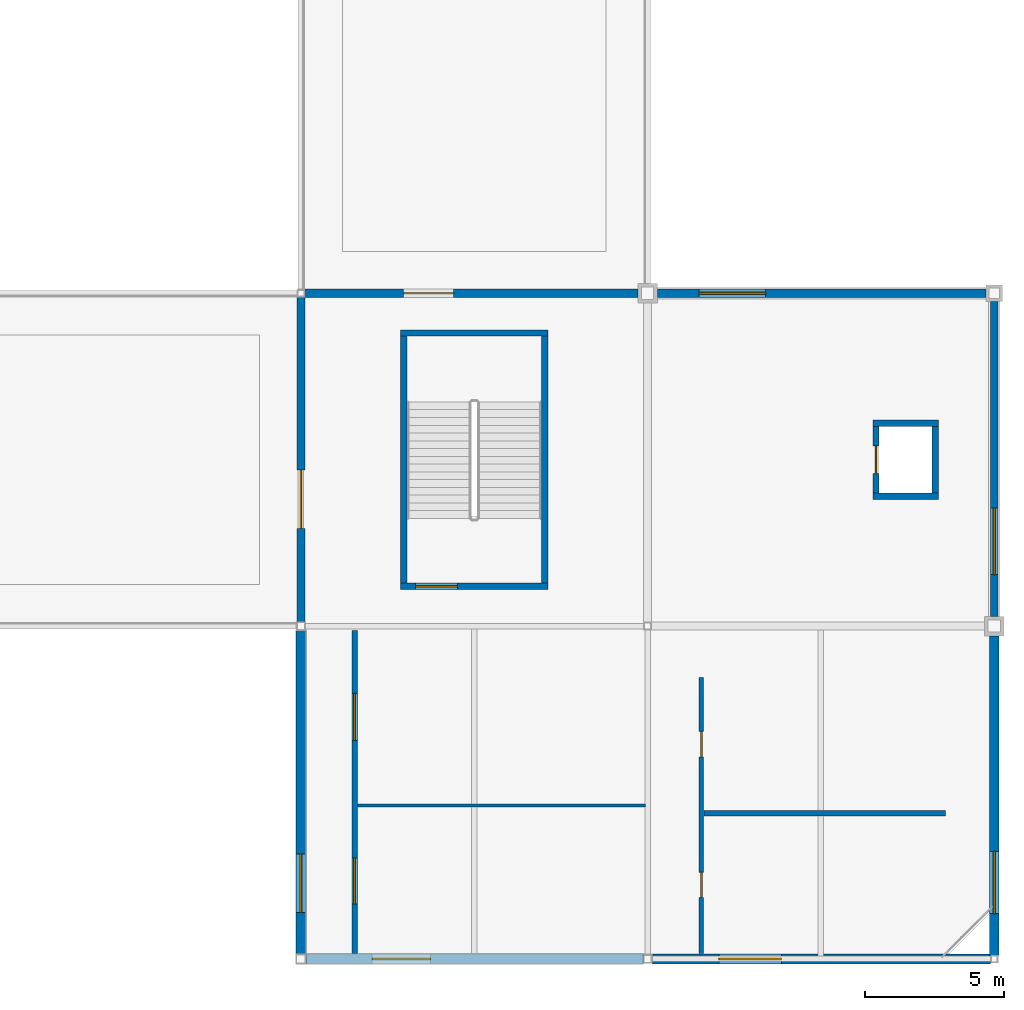
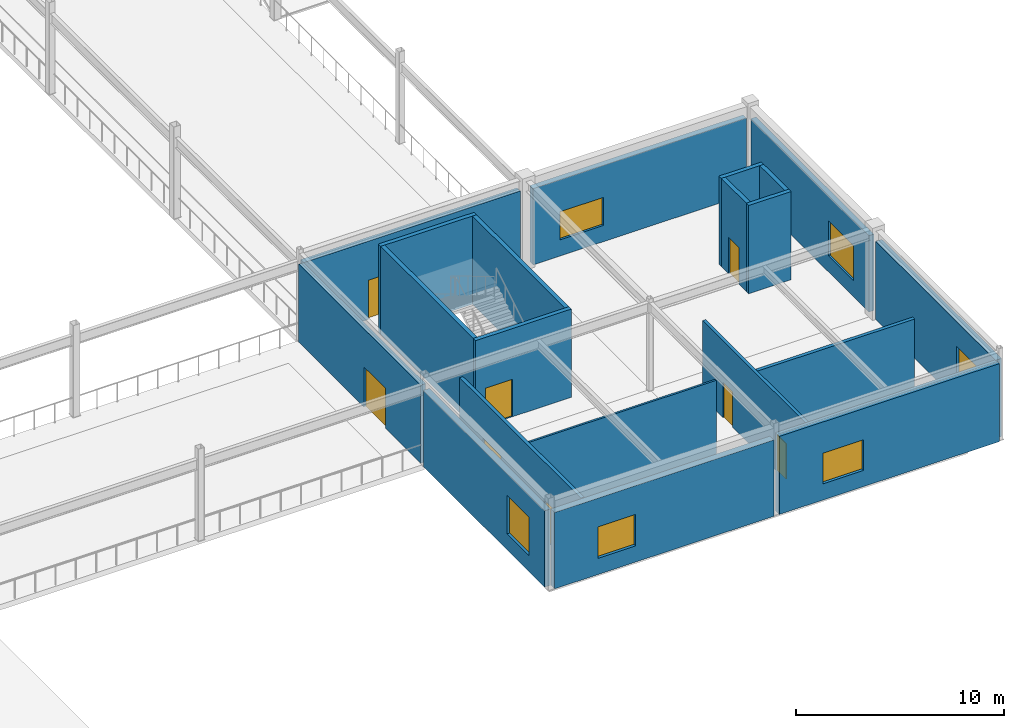
# One storey, part 78 of 105: 20 walls, 8 doors, 6 windows, 14 openings.
"""IFC4 building model written with IfcOpenShell, lengths in metres."""

import ifcopenshell
import ifcopenshell.guid

model = None  # the IFC model being written
_history = None  # IfcOwnerHistory: only IFC2X3 demands one
_inside = {}  # id of a spatial element -> (the spatial element, [elements in it])
_under = {}  # id of a project, library or spatial element -> (it, [spatial elements below it])
_declared = {}  # id of a project -> (the project, [libraries it declares])
_typed = {}  # id of a type object -> (the type object, [elements of that type])
_made_of = {}  # id of a material, layer set ... -> (it, [elements and type objects made of it])


def new_model(schema):
    """Start an empty IFC model of exactly this schema.

    Asked for "IFC4X3", IfcOpenShell would pick the latest addendum, in which some entities
    have other attributes; the version numbers below select the first issue.
    IFC2X3 requires an IfcOwnerHistory on every rooted entity: one is made here for all.
    """
    global model, _history
    if schema == "IFC4X3":
        model = ifcopenshell.file(schema_version=(4, 3, 0, 0))
    else:
        model = ifcopenshell.file(schema=schema)
    _inside.clear()
    _under.clear()
    _declared.clear()
    _typed.clear()
    _made_of.clear()
    _history = None
    if model.schema == "IFC2X3":
        org = make("IfcOrganization", Name="unknown")
        user = make(
            "IfcPersonAndOrganization",
            ThePerson=make("IfcPerson", FamilyName="unknown"),
            TheOrganization=org,
        )
        app = make(
            "IfcApplication",
            ApplicationDeveloper=org,
            Version="unknown",
            ApplicationFullName="unknown",
            ApplicationIdentifier="unknown",
        )
        _history = make(
            "IfcOwnerHistory",
            OwningUser=user,
            OwningApplication=app,
            ChangeAction="ADDED",
            CreationDate=0,
        )
    return model


def make(cls, **values):
    """One entity of the class cls with the attributes given. An attribute that is None is left unset."""
    return model.create_entity(
        cls, **{name: value for name, value in values.items() if value is not None}
    )


def rooted(cls, **values):
    """An entity with a GlobalId (a new one), such as an element, a storey or a relation."""
    return make(cls, GlobalId=ifcopenshell.guid.new(), OwnerHistory=_history, **values)


def si_unit(unit_type, name, prefix=None):
    """IfcSIUnit, for example si_unit("LENGTHUNIT", "METRE", prefix="MILLI")."""
    return make("IfcSIUnit", UnitType=unit_type, Prefix=prefix, Name=name)


def assignment(units):
    """IfcUnitAssignment: the units of a project."""
    return None if units is None else make("IfcUnitAssignment", Units=units)


def point(xyz):
    """IfcCartesianPoint."""
    return None if xyz is None else make("IfcCartesianPoint", Coordinates=xyz)


def direction(xyz):
    """IfcDirection."""
    return None if xyz is None else make("IfcDirection", DirectionRatios=xyz)


def frame(location, z_axis=None, x_axis=None):
    """IfcAxis2Placement3D, a coordinate frame: its origin and axes. An axis left out is left unset."""
    return make(
        "IfcAxis2Placement3D",
        Location=point(location),
        Axis=direction(z_axis),
        RefDirection=direction(x_axis),
    )


def frame_2d(location, x_axis=None):
    """IfcAxis2Placement2D, a coordinate frame in the plane: its origin and x axis."""
    return make(
        "IfcAxis2Placement2D", Location=point(location), RefDirection=direction(x_axis)
    )


def origin():
    """The frame at (0, 0, 0) with its axes left unset."""
    return frame((0.0, 0.0, 0.0))


def place(relative_to, where):
    """IfcLocalPlacement: puts the frame where relative to a parent placement (None: the world)."""
    return make(
        "IfcLocalPlacement", PlacementRelTo=relative_to, RelativePlacement=where
    )


def context(
    kind, dimensions, precision=None, world=None, true_north=None, identifier=None
):
    """IfcGeometricRepresentationContext, for example the 3D "Model" context."""
    return make(
        "IfcGeometricRepresentationContext",
        ContextIdentifier=identifier,
        ContextType=kind,
        CoordinateSpaceDimension=dimensions,
        Precision=precision,
        WorldCoordinateSystem=world,
        TrueNorth=true_north,
    )


def subcontext(parent, identifier, kind, view, scale=None):
    """IfcGeometricRepresentationSubContext, for example "Body" below "Model"."""
    return make(
        "IfcGeometricRepresentationSubContext",
        ContextIdentifier=identifier,
        ContextType=kind,
        ParentContext=parent,
        TargetScale=scale,
        TargetView=view,
    )


def project(units=None, contexts=None):
    """IfcProject with its units and contexts."""
    return rooted(
        "IfcProject",
        Name="project",
        RepresentationContexts=contexts,
        UnitsInContext=assignment(units),
    )


def spatial(cls, under=None, at=None, **own):
    """A site, building, storey or space (cls), placed at a placement, below another one or the project."""
    s = rooted(cls, ObjectPlacement=at, **own)
    if under is not None:
        _under.setdefault(under.id(), (under, []))[1].append(s)
    return s


def profile(cls, at=None, kind="AREA", **sizes):
    """A parametric profile (cls). Its sizes go by their IFC names, for example OverallWidth=200.0."""
    return make(cls, ProfileType=kind, Position=at, **sizes)


def rectangle(**sizes):
    """IfcRectangleProfileDef."""
    return profile("IfcRectangleProfileDef", **sizes)


def extrude(swept, where, along, depth):
    """IfcExtrudedAreaSolid: the profile swept, set in the frame where, extruded along a direction by depth."""
    return make(
        "IfcExtrudedAreaSolid",
        SweptArea=swept,
        Position=where,
        ExtrudedDirection=direction(along),
        Depth=depth,
    )


def shape(context_of_items, identifier, shape_type, items):
    """IfcShapeRepresentation: the items that make up one representation, for example the "Body"."""
    return make(
        "IfcShapeRepresentation",
        ContextOfItems=context_of_items,
        RepresentationIdentifier=identifier,
        RepresentationType=shape_type,
        Items=items,
    )


def material(Name=None, Category=None):
    """IfcMaterial."""
    return make("IfcMaterial", Name=Name, Category=Category)


def layer(
    of_material, thickness, ventilated=None, Name=None, Category=None, Priority=None
):
    """IfcMaterialLayer: one layer of a wall or slab, of a material (None: an air gap)."""
    return make(
        "IfcMaterialLayer",
        Material=of_material,
        LayerThickness=thickness,
        IsVentilated=ventilated,
        Name=Name,
        Category=Category,
        Priority=Priority,
    )


def layer_set(layers, Name=None):
    """IfcMaterialLayerSet."""
    return make("IfcMaterialLayerSet", MaterialLayers=layers, LayerSetName=Name)


def made_of(thing, what):
    """Note that an element or type object is made of a material, layer set ...; save() writes the relation."""
    if what is not None:
        _made_of.setdefault(what.id(), (what, []))[1].append(thing)
    return thing


def type_object(cls, material=None, **own):
    """A type object (cls), such as IfcWallType, which elements share."""
    return made_of(rooted(cls, **own), material)


def element(
    cls,
    number,
    at=None,
    inside=None,
    cuts=None,
    type_object=None,
    material=None,
    context=None,
    identifier="Body",
    shape_type=None,
    held_by="IfcProductDefinitionShape",
    body=None,
    shapes=None,
    **own,
):
    """One element of the class cls, such as IfcWall. Its Tag is "e" and its number.

    at: its placement. inside: the storey or other place that contains it. cuts: it is an
    opening in that element (IfcRelVoidsElement). A single representation is given by context,
    identifier, shape_type and body (its items); several are given by shapes. held_by: the class
    of the entity that holds the representations. save() writes the other relations.
    """
    e = rooted(cls, Tag="e%d" % number, ObjectPlacement=at, **own)
    if body is not None:
        shapes = [shape(context, identifier, shape_type, body)]
    if shapes is not None:
        e.Representation = make(held_by, Representations=shapes)
    if inside is not None:
        _inside.setdefault(inside.id(), (inside, []))[1].append(e)
    if cuts is not None:
        rooted(
            "IfcRelVoidsElement", RelatingBuildingElement=cuts, RelatedOpeningElement=e
        )
    if type_object is not None:
        _typed.setdefault(type_object.id(), (type_object, []))[1].append(e)
    return made_of(e, material)


def fill(opening, filler):
    """IfcRelFillsElement: the door or window that sits in an opening."""
    return rooted(
        "IfcRelFillsElement",
        RelatingOpeningElement=opening,
        RelatedBuildingElement=filler,
    )


def aggregate(whole, parts):
    """IfcRelAggregates: a whole, such as a stair, and the parts it consists of."""
    return rooted("IfcRelAggregates", RelatingObject=whole, RelatedObjects=parts)


def save(model, path):
    """Write the relations noted so far, then the file.

    IfcRelAggregates (storeys below a building ...), IfcRelContainedInSpatialStructure (elements
    in a storey), IfcRelDefinesByType, IfcRelAssociatesMaterial and IfcRelDeclares: one each for
    every whole, place, type object, material and project.
    """
    for whole, parts in _under.values():
        aggregate(whole, parts)
    for where, things in _inside.values():
        rooted(
            "IfcRelContainedInSpatialStructure",
            RelatedElements=things,
            RelatingStructure=where,
        )
    for kind, things in _typed.values():
        rooted("IfcRelDefinesByType", RelatedObjects=things, RelatingType=kind)
    for what, things in _made_of.values():
        rooted("IfcRelAssociatesMaterial", RelatedObjects=things, RelatingMaterial=what)
    for by, libraries in _declared.values():
        rooted("IfcRelDeclares", RelatingContext=by, RelatedDefinitions=libraries)
    model.write(path)


model = new_model("IFC4")

# Units and contexts
model_context = context("Model", 3, precision=1e-05, world=origin(), true_north=direction((0.0, 1.0)))
body_context = subcontext(model_context, "Body", "Model", "MODEL_VIEW")
ifc_project = project(units=[si_unit("LENGTHUNIT", "METRE"), si_unit("AREAUNIT", "SQUARE_METRE"), si_unit("VOLUMEUNIT", "CUBIC_METRE"), si_unit("PLANEANGLEUNIT", "RADIAN"), si_unit("MASSUNIT", "GRAM", prefix="KILO")], contexts=[model_context])

# Site, building, storey
site_placement = place(None, origin())
site = spatial("IfcSite", under=ifc_project, at=site_placement, CompositionType="ELEMENT")
building_placement = place(site_placement, origin())
building = spatial("IfcBuilding", under=site, at=building_placement, Name="Kazenohara Klinker Stadium", CompositionType="ELEMENT")
storey_placement = place(building_placement, frame((0.0, 0.0, 20.39990234375)))
storey = spatial("IfcBuildingStorey", under=building, at=storey_placement, Name="L04", CompositionType="ELEMENT", Elevation=20.39990234375)

# Wall, opening, door
ifc_material_1 = material(Name="Concrete C40/50", Category="concrete")
ifc_layer_1 = layer(ifc_material_1, 0.22998046875)
ifc_layer_set_1 = layer_set([ifc_layer_1], Name="Concrete C40/50")
wall_type_1 = type_object("IfcWallType", Name="WAL-CORE-230", PredefinedType="SHEAR", material=ifc_layer_set_1)
wall_1_placement = place(storey_placement, frame((178.590087890625, 25.43505859375, 0.0), z_axis=(0.0, 0.0, 1.0), x_axis=(1.0, 0.0, 0.0)))
wall_1 = element("IfcWall", 1, at=wall_1_placement, inside=storey, type_object=wall_type_1, Name="Stairwell shear wall ST16 L04 South", PredefinedType="SHEAR", context=body_context, shape_type="SweptSolid", body=[
    extrude(rectangle(XDim=5.31982421875, YDim=0.22998046875, at=frame_2d((2.659912109375, 0.0))), origin(), (0.0, 0.0, 1.0), 5.18017578125),
])
opening_1_placement = place(wall_1_placement, frame((0.550048828125, 0.0, 0.0)))
opening_1 = element("IfcOpeningElement", 2, at=opening_1_placement, cuts=wall_1, Name="Opening SD02", PredefinedType="OPENING", context=body_context, shape_type="SweptSolid", body=[
    extrude(rectangle(XDim=1.5, YDim=2.199951171875, at=frame_2d((0.75, 1.10009765625))), frame((0.0, 0.125, 0.0), z_axis=(0.0, -1.0, 0.0), x_axis=(1.0, 0.0, 0.0)), (0.0, 0.0, 1.0), 0.25),
])
ifc_material_2 = material(Name="Flush painted steel fire door leaf", Category="steel")
door_type_1 = type_object("IfcDoorType", Name="DR-STR-1500x2200", OperationType="NOTDEFINED", PredefinedType="DOOR", material=ifc_material_2)
door_1_placement = place(opening_1_placement, origin())
door_1 = element("IfcDoor", 3, at=door_1_placement, inside=storey, type_object=door_type_1, Name="Escape stairwell fire door ST16-L04", OperationType="SINGLE_SWING_LEFT", OverallHeight=2.199951171875, OverallWidth=1.5, PredefinedType="DOOR", context=body_context, shape_type="SweptSolid", body=[
    extrude(rectangle(XDim=1.5, YDim=2.199951171875, at=frame_2d((0.75, 1.10009765625))), frame((0.0, 0.02490234375, 0.0), z_axis=(0.0, -1.0, 0.0), x_axis=(1.0, 0.0, 0.0)), (0.0, 0.0, 1.0), 0.050048828125),
])
fill(opening_1, door_1)

# Walls
wall_2_placement = place(storey_placement, frame((178.590087890625, 34.56494140625, 0.0), z_axis=(0.0, 0.0, 1.0), x_axis=(1.0, 0.0, 0.0)))
element("IfcWall", 4, at=wall_2_placement, inside=storey, type_object=wall_type_1, Name="Stairwell shear wall ST16 L04 North", PredefinedType="SHEAR", context=body_context, shape_type="SweptSolid", body=[
    extrude(rectangle(XDim=5.31982421875, YDim=0.22998046875, at=frame_2d((2.659912109375, 0.0))), origin(), (0.0, 0.0, 1.0), 5.18017578125),
])
for number, where, z_axis, x_axis, name in (
    (5, (178.705078125, 25.550048828125, 0.0), (0.0, 0.0, 1.0), (0.0, 1.0, 0.0), "Stairwell shear wall ST16 L04 West"),
    (6, (183.794921875, 25.550048828125, 0.0), (0.0, 0.0, 1.0), (0.0, 1.0, 0.0), "Stairwell shear wall ST16 L04 East"),
):
    element("IfcWall", number, at=place(storey_placement, frame(where, z_axis=z_axis, x_axis=x_axis)), inside=storey, type_object=wall_type_1, Name=name, PredefinedType="SHEAR", context=body_context, shape_type="SweptSolid", body=[
        extrude(rectangle(XDim=8.89990234375, YDim=0.22998046875, at=frame_2d((4.449951171875, 0.0))), origin(), (0.0, 0.0, 1.0), 5.18017578125),
    ])
for number, where, z_axis, x_axis, name in (
    (7, (195.6201171875, 28.68505859375, 0.0), (0.0, 0.0, 1.0), (1.0, 0.0, 0.0), "Elevator shaft wall LP06 L04 South"),
    (8, (195.6201171875, 31.31494140625, 0.0), (0.0, 0.0, 1.0), (1.0, 0.0, 0.0), "Elevator shaft wall LP06 L04 North"),
):
    element("IfcWall", number, at=place(storey_placement, frame(where, z_axis=z_axis, x_axis=x_axis)), inside=storey, type_object=wall_type_1, Name=name, PredefinedType="SHEAR", context=body_context, shape_type="SweptSolid", body=[
        extrude(rectangle(XDim=2.35986328125, YDim=0.22998046875, at=frame_2d((1.179931640625, 0.0))), origin(), (0.0, 0.0, 1.0), 5.18017578125),
    ])

# Wall, opening, door
wall_3_placement = place(storey_placement, frame((195.735107421875, 28.800048828125, 0.0), z_axis=(0.0, 0.0, 1.0), x_axis=(0.0, 1.0, 0.0)))
wall_3 = element("IfcWall", 9, at=wall_3_placement, inside=storey, type_object=wall_type_1, Name="Elevator shaft wall LP06 L04 West", PredefinedType="SHEAR", context=body_context, shape_type="SweptSolid", body=[
    extrude(rectangle(XDim=2.39990234375, YDim=0.22998046875, at=frame_2d((1.199951171875, 0.0))), origin(), (0.0, 0.0, 1.0), 5.18017578125),
])
opening_2_placement = place(wall_3_placement, frame((0.699951171875, 0.0, 0.0)))
opening_2 = element("IfcOpeningElement", 10, at=opening_2_placement, cuts=wall_3, Name="Opening LD02", PredefinedType="OPENING", context=body_context, shape_type="SweptSolid", body=[
    extrude(rectangle(XDim=1.0, YDim=2.14990234375, at=frame_2d((0.5, 1.074951171875))), frame((0.0, 0.125, 0.0), z_axis=(0.0, -1.0, 0.0), x_axis=(1.0, 0.0, 0.0)), (0.0, 0.0, 1.0), 0.25),
])
ifc_material_3 = material(Name="Stainless steel sliding landing door", Category="steel")
door_type_2 = type_object("IfcDoorType", Name="DR-LD02-1000x2150", OperationType="NOTDEFINED", PredefinedType="DOOR", material=ifc_material_3)
door_2_placement = place(opening_2_placement, origin())
door_2 = element("IfcDoor", 11, at=door_2_placement, inside=storey, type_object=door_type_2, Name="Elevator sliding landing door LP06-L04", OperationType="DOUBLE_DOOR_SLIDING", OverallHeight=2.14990234375, OverallWidth=1.0, PredefinedType="DOOR", context=body_context, shape_type="SweptSolid", body=[
    extrude(rectangle(XDim=1.0, YDim=2.14990234375, at=frame_2d((0.5, 1.074951171875))), frame((0.0, 0.02490234375, 0.0), z_axis=(0.0, -1.0, 0.0), x_axis=(1.0, 0.0, 0.0)), (0.0, 0.0, 1.0), 0.050048828125),
])
fill(opening_2, door_2)

# Wall
wall_4_placement = place(storey_placement, frame((197.864990234375, 28.800048828125, 0.0), z_axis=(0.0, 0.0, 1.0), x_axis=(0.0, 1.0, 0.0)))
element("IfcWall", 12, at=wall_4_placement, inside=storey, type_object=wall_type_1, Name="Elevator shaft wall LP06 L04 East", PredefinedType="SHEAR", context=body_context, shape_type="SweptSolid", body=[
    extrude(rectangle(XDim=2.39990234375, YDim=0.22998046875, at=frame_2d((1.199951171875, 0.0))), origin(), (0.0, 0.0, 1.0), 5.18017578125),
])

# Wall, opening, door
ifc_material_4 = material(Name="Clinker brick masonry", Category="masonry")
ifc_layer_2 = layer(ifc_material_4, 0.280029296875)
ifc_layer_set_2 = layer_set([ifc_layer_2], Name="Clinker brick masonry")
wall_type_2 = type_object("IfcWallType", Name="WAL-EXT-CB280", PredefinedType="SOLIDWALL", material=ifc_layer_set_2)
wall_5_placement = place(storey_placement, frame((175.0, 24.154052734375, 0.0), z_axis=(0.0, 0.0, 1.0), x_axis=(0.0, 1.0, 0.0)))
wall_5 = element("IfcWall", 13, at=wall_5_placement, inside=storey, type_object=wall_type_2, Name="Clinker brick cavity wall EW06 L04 Y14-2", PredefinedType="SOLIDWALL", context=body_context, shape_type="SweptSolid", body=[
    extrude(rectangle(XDim=11.717041015625, YDim=0.280029296875, at=frame_2d((5.8583984375, 0.0))), origin(), (0.0, 0.0, 1.0), 4.580078125),
])
opening_3_placement = place(wall_5_placement, frame((3.365966796875, 0.0, 0.0)))
opening_3 = element("IfcOpeningElement", 14, at=opening_3_placement, cuts=wall_5, Name="Opening TD02", PredefinedType="OPENING", context=body_context, shape_type="SweptSolid", body=[
    extrude(rectangle(XDim=2.10009765625, YDim=2.35009765625, at=frame_2d((1.050048828125, 1.175048828125))), frame((0.0, 0.14990234375, 0.0), z_axis=(0.0, -1.0, 0.0), x_axis=(1.0, 0.0, 0.0)), (0.0, 0.0, 1.0), 0.300048828125),
])
ifc_material_5 = material(Name="Thermally broken aluminium and triple glazing", Category="aluminium")
door_type_3 = type_object("IfcDoorType", Name="DR-TER-2100x2350", OperationType="NOTDEFINED", PredefinedType="DOOR", material=ifc_material_5)
door_3_placement = place(opening_3_placement, origin())
door_3 = element("IfcDoor", 15, at=door_3_placement, inside=storey, type_object=door_type_3, Name="South roof garden terrace door TDS-02", OperationType="DOUBLE_DOOR_SINGLE_SWING", OverallHeight=2.35009765625, OverallWidth=2.10009765625, PredefinedType="DOOR", context=body_context, shape_type="SweptSolid", body=[
    extrude(rectangle(XDim=2.10009765625, YDim=2.35009765625, at=frame_2d((1.050048828125, 1.175048828125))), frame((0.0, 0.02490234375, 0.0), z_axis=(0.0, -1.0, 0.0), x_axis=(1.0, 0.0, 0.0)), (0.0, 0.0, 1.0), 0.050048828125),
])
fill(opening_3, door_3)

# Wall, opening, window
wall_6_placement = place(storey_placement, frame((200.0, 24.35400390625, 0.0), z_axis=(0.0, 0.0, 1.0), x_axis=(0.0, 1.0, 0.0)))
wall_6 = element("IfcWall", 16, at=wall_6_placement, inside=storey, type_object=wall_type_2, Name="Clinker brick cavity wall EW06 L04 Y16-2", PredefinedType="SOLIDWALL", context=body_context, shape_type="SweptSolid", body=[
    extrude(rectangle(XDim=11.342041015625, YDim=0.280029296875, at=frame_2d((5.6708984375, 0.0))), origin(), (0.0, 0.0, 1.0), 4.47998046875),
])
opening_4_placement = place(wall_6_placement, frame((1.5, 0.0, 0.949951171875)))
opening_4 = element("IfcOpeningElement", 17, at=opening_4_placement, cuts=wall_6, Name="Opening W24", PredefinedType="OPENING", context=body_context, shape_type="SweptSolid", body=[
    extrude(rectangle(XDim=2.39990234375, YDim=2.050048828125, at=frame_2d((1.199951171875, 1.02490234375))), frame((0.0, 0.14990234375, 0.0), z_axis=(0.0, -1.0, 0.0), x_axis=(1.0, 0.0, 0.0)), (0.0, 0.0, 1.0), 0.300048828125),
])
ifc_material_6 = material(Name="Dark bronze aluminium frame and triple glazing", Category="aluminium")
window_type_1 = type_object("IfcWindowType", Name="WIN-AS-24", PartitioningType="SINGLE_PANEL", PredefinedType="WINDOW", material=ifc_material_6)
window_1_placement = place(opening_4_placement, origin())
window_1 = element("IfcWindow", 18, at=window_1_placement, inside=storey, type_object=window_type_1, Name="Horizontal-mullion ladder window W24 L04 Y16-2", OverallHeight=2.050048828125, OverallWidth=2.39990234375, PartitioningType="SINGLE_PANEL", PredefinedType="WINDOW", context=body_context, shape_type="SweptSolid", body=[
    extrude(rectangle(XDim=2.39990234375, YDim=2.050048828125, at=frame_2d((1.199951171875, 1.02490234375))), frame((0.0, 0.030029296875, 0.0), z_axis=(0.0, -1.0, 0.0), x_axis=(1.0, 0.0, 0.0)), (0.0, 0.0, 1.0), 0.06005859375),
])
fill(opening_4, window_1)

# Wall, opening, door
ifc_layer_3 = layer(ifc_material_4, 0.31005859375)
ifc_layer_set_3 = layer_set([ifc_layer_3], Name="Clinker brick masonry")
wall_type_3 = type_object("IfcWallType", Name="WAL-EXT-CB310", PredefinedType="SOLIDWALL", material=ifc_layer_set_3)
wall_7_placement = place(storey_placement, frame((175.12890625, 36.0, 0.0), z_axis=(0.0, 0.0, 1.0), x_axis=(1.0, 0.0, 0.0)))
wall_7 = element("IfcWall", 19, at=wall_7_placement, inside=storey, type_object=wall_type_3, Name="Clinker brick cavity wall EW05 L04 X14-3", PredefinedType="SOLIDWALL", context=body_context, shape_type="SweptSolid", body=[
    extrude(rectangle(XDim=12.01708984375, YDim=0.31005859375, at=frame_2d((6.008544921875, 0.0))), origin(), (0.0, 0.0, 1.0), 4.592041015625),
])
opening_5_placement = place(wall_7_placement, frame((3.575927734375, 0.0, 0.0)))
opening_5 = element("IfcOpeningElement", 20, at=opening_5_placement, cuts=wall_7, Name="Opening TD01", PredefinedType="OPENING", context=body_context, shape_type="SweptSolid", body=[
    extrude(rectangle(XDim=1.800048828125, YDim=2.300048828125, at=frame_2d((0.89990234375, 1.14990234375))), frame((0.0, 0.1650390625, 0.0), z_axis=(0.0, -1.0, 0.0), x_axis=(1.0, 0.0, 0.0)), (0.0, 0.0, 1.0), 0.330078125),
])
door_type_4 = type_object("IfcDoorType", Name="DR-TER-1800x2300", OperationType="NOTDEFINED", PredefinedType="DOOR", material=ifc_material_5)
door_4_placement = place(opening_5_placement, origin())
door_4 = element("IfcDoor", 21, at=door_4_placement, inside=storey, type_object=door_type_4, Name="East roof garden terrace door TDE-01", OperationType="DOUBLE_DOOR_SINGLE_SWING", OverallHeight=2.300048828125, OverallWidth=1.800048828125, PredefinedType="DOOR", context=body_context, shape_type="SweptSolid", body=[
    extrude(rectangle(XDim=1.800048828125, YDim=2.300048828125, at=frame_2d((0.89990234375, 1.14990234375))), frame((0.0, 0.02490234375, 0.0), z_axis=(0.0, -1.0, 0.0), x_axis=(1.0, 0.0, 0.0)), (0.0, 0.0, 1.0), 0.050048828125),
])
fill(opening_5, door_4)

# Wall, opening, window
wall_8_placement = place(storey_placement, frame((187.85400390625, 36.0, 0.0), z_axis=(0.0, 0.0, 1.0), x_axis=(1.0, 0.0, 0.0)))
wall_8 = element("IfcWall", 22, at=wall_8_placement, inside=storey, type_object=wall_type_3, Name="Clinker brick cavity wall EW05 L04 X15-3", PredefinedType="SOLIDWALL", context=body_context, shape_type="SweptSolid", body=[
    extrude(rectangle(XDim=11.842041015625, YDim=0.31005859375, at=frame_2d((5.9208984375, 0.0))), origin(), (0.0, 0.0, 1.0), 4.47998046875),
])
opening_6_placement = place(wall_8_placement, frame((1.5, 0.0, 0.949951171875)))
opening_6 = element("IfcOpeningElement", 23, at=opening_6_placement, cuts=wall_8, Name="Opening W23", PredefinedType="OPENING", context=body_context, shape_type="SweptSolid", body=[
    extrude(rectangle(XDim=2.39990234375, YDim=1.64990234375, at=frame_2d((1.199951171875, 0.824951171875))), frame((0.0, 0.1650390625, 0.0), z_axis=(0.0, -1.0, 0.0), x_axis=(1.0, 0.0, 0.0)), (0.0, 0.0, 1.0), 0.330078125),
])
window_type_2 = type_object("IfcWindowType", Name="WIN-AS-23", PartitioningType="SINGLE_PANEL", PredefinedType="WINDOW", material=ifc_material_6)
window_2_placement = place(opening_6_placement, origin())
window_2 = element("IfcWindow", 24, at=window_2_placement, inside=storey, type_object=window_type_2, Name="Horizontal-mullion ladder window W23 L04 X15-3", OverallHeight=1.64990234375, OverallWidth=2.39990234375, PartitioningType="SINGLE_PANEL", PredefinedType="WINDOW", context=body_context, shape_type="SweptSolid", body=[
    extrude(rectangle(XDim=2.39990234375, YDim=1.64990234375, at=frame_2d((1.199951171875, 0.824951171875))), frame((0.0, 0.030029296875, 0.0), z_axis=(0.0, -1.0, 0.0), x_axis=(1.0, 0.0, 0.0)), (0.0, 0.0, 1.0), 0.06005859375),
])
fill(opening_6, window_2)

ifc_layer_4 = layer(ifc_material_4, 0.340087890625)
ifc_layer_set_4 = layer_set([ifc_layer_4], Name="Clinker brick masonry")
wall_type_4 = type_object("IfcWallType", Name="WAL-EXT-CB340", PredefinedType="SOLIDWALL", material=ifc_layer_set_4)
wall_9_placement = place(storey_placement, frame((175.0, 12.178955078125, 0.0), z_axis=(0.0, 0.0, 1.0), x_axis=(0.0, 1.0, 0.0)))
wall_9 = element("IfcWall", 25, at=wall_9_placement, inside=storey, type_object=wall_type_4, Name="Clinker brick cavity wall EW04 L04 Y14-1", PredefinedType="SOLIDWALL", context=body_context, shape_type="SweptSolid", body=[
    extrude(rectangle(XDim=11.6669921875, YDim=0.340087890625, at=frame_2d((5.83349609375, 0.0))), origin(), (0.0, 0.0, 1.0), 4.47998046875),
])
opening_7_placement = place(wall_9_placement, frame((1.5, 0.0, 0.949951171875)))
opening_7 = element("IfcOpeningElement", 26, at=opening_7_placement, cuts=wall_9, Name="Opening W19", PredefinedType="OPENING", context=body_context, shape_type="SweptSolid", body=[
    extrude(rectangle(XDim=2.10009765625, YDim=2.25, at=frame_2d((1.050048828125, 1.125))), frame((0.0, 0.18017578125, 0.0), z_axis=(0.0, -1.0, 0.0), x_axis=(1.0, 0.0, 0.0)), (0.0, 0.0, 1.0), 0.360107421875),
])
window_type_3 = type_object("IfcWindowType", Name="WIN-AS-19", PartitioningType="SINGLE_PANEL", PredefinedType="WINDOW", material=ifc_material_6)
window_3_placement = place(opening_7_placement, origin())
window_3 = element("IfcWindow", 27, at=window_3_placement, inside=storey, type_object=window_type_3, Name="Horizontal-mullion ladder window W19 L04 Y14-1", OverallHeight=2.25, OverallWidth=2.10009765625, PartitioningType="SINGLE_PANEL", PredefinedType="WINDOW", context=body_context, shape_type="SweptSolid", body=[
    extrude(rectangle(XDim=2.10009765625, YDim=2.25, at=frame_2d((1.050048828125, 1.125))), frame((0.0, 0.030029296875, 0.0), z_axis=(0.0, -1.0, 0.0), x_axis=(1.0, 0.0, 0.0)), (0.0, 0.0, 1.0), 0.06005859375),
])
fill(opening_7, window_3)

wall_10_placement = place(storey_placement, frame((200.0, 12.12890625, 0.0), z_axis=(0.0, 0.0, 1.0), x_axis=(0.0, 1.0, 0.0)))
wall_10 = element("IfcWall", 28, at=wall_10_placement, inside=storey, type_object=wall_type_4, Name="Clinker brick cavity wall EW04 L04 Y16-1", PredefinedType="SOLIDWALL", context=body_context, shape_type="SweptSolid", body=[
    extrude(rectangle(XDim=11.51708984375, YDim=0.340087890625, at=frame_2d((5.758544921875, 0.0))), origin(), (0.0, 0.0, 1.0), 4.592041015625),
])
opening_8_placement = place(wall_10_placement, frame((1.5, 0.0, 0.949951171875)))
opening_8 = element("IfcOpeningElement", 29, at=opening_8_placement, cuts=wall_10, Name="Opening W22", PredefinedType="OPENING", context=body_context, shape_type="SweptSolid", body=[
    extrude(rectangle(XDim=2.25, YDim=2.199951171875, at=frame_2d((1.125, 1.10009765625))), frame((0.0, 0.18017578125, 0.0), z_axis=(0.0, -1.0, 0.0), x_axis=(1.0, 0.0, 0.0)), (0.0, 0.0, 1.0), 0.360107421875),
])
window_type_4 = type_object("IfcWindowType", Name="WIN-AS-22", PartitioningType="SINGLE_PANEL", PredefinedType="WINDOW", material=ifc_material_6)
window_4_placement = place(opening_8_placement, origin())
window_4 = element("IfcWindow", 30, at=window_4_placement, inside=storey, type_object=window_type_4, Name="Horizontal-mullion ladder window W22 L04 Y16-1", OverallHeight=2.199951171875, OverallWidth=2.25, PartitioningType="SINGLE_PANEL", PredefinedType="WINDOW", context=body_context, shape_type="SweptSolid", body=[
    extrude(rectangle(XDim=2.25, YDim=2.199951171875, at=frame_2d((1.125, 1.10009765625))), frame((0.0, 0.030029296875, 0.0), z_axis=(0.0, -1.0, 0.0), x_axis=(1.0, 0.0, 0.0)), (0.0, 0.0, 1.0), 0.06005859375),
])
fill(opening_8, window_4)

ifc_layer_5 = layer(ifc_material_4, 0.3701171875)
ifc_layer_set_5 = layer_set([ifc_layer_5], Name="Clinker brick masonry")
wall_type_5 = type_object("IfcWallType", Name="WAL-EXT-CB370", PredefinedType="SOLIDWALL", material=ifc_layer_set_5)
wall_11_placement = place(storey_placement, frame((175.178955078125, 12.0, 0.0), z_axis=(0.0, 0.0, 1.0), x_axis=(1.0, 0.0, 0.0)))
wall_11 = element("IfcWall", 31, at=wall_11_placement, inside=storey, type_object=wall_type_5, Name="Clinker brick cavity wall EW03 L04 X14-1", PredefinedType="SOLIDWALL", context=body_context, shape_type="SweptSolid", body=[
    extrude(rectangle(XDim=12.1669921875, YDim=0.3701171875, at=frame_2d((6.08349609375, 0.0))), origin(), (0.0, 0.0, 1.0), 4.47998046875),
])
opening_9_placement = place(wall_11_placement, frame((2.39111328125, 0.0, 0.949951171875)))
opening_9 = element("IfcOpeningElement", 32, at=opening_9_placement, cuts=wall_11, Name="Opening W18", PredefinedType="OPENING", context=body_context, shape_type="SweptSolid", body=[
    extrude(rectangle(XDim=2.10009765625, YDim=1.85009765625, at=frame_2d((1.050048828125, 0.925048828125))), frame((0.0, 0.195068359375, 0.0), z_axis=(0.0, -1.0, 0.0), x_axis=(1.0, 0.0, 0.0)), (0.0, 0.0, 1.0), 0.39013671875),
])
window_type_5 = type_object("IfcWindowType", Name="WIN-AS-18", PartitioningType="SINGLE_PANEL", PredefinedType="WINDOW", material=ifc_material_6)
window_5_placement = place(opening_9_placement, origin())
window_5 = element("IfcWindow", 33, at=window_5_placement, inside=storey, type_object=window_type_5, Name="Horizontal-mullion ladder window W18 L04 X14-1", OverallHeight=1.85009765625, OverallWidth=2.10009765625, PartitioningType="SINGLE_PANEL", PredefinedType="WINDOW", context=body_context, shape_type="SweptSolid", body=[
    extrude(rectangle(XDim=2.10009765625, YDim=1.85009765625, at=frame_2d((1.050048828125, 0.925048828125))), frame((0.0, 0.030029296875, 0.0), z_axis=(0.0, -1.0, 0.0), x_axis=(1.0, 0.0, 0.0)), (0.0, 0.0, 1.0), 0.06005859375),
])
fill(opening_9, window_5)

wall_12_placement = place(storey_placement, frame((187.654052734375, 12.0, 0.0), z_axis=(0.0, 0.0, 1.0), x_axis=(1.0, 0.0, 0.0)))
wall_12 = element("IfcWall", 34, at=wall_12_placement, inside=storey, type_object=wall_type_5, Name="Clinker brick cavity wall EW03 L04 X15-1", PredefinedType="SOLIDWALL", context=body_context, shape_type="SweptSolid", body=[
    extrude(rectangle(XDim=12.217041015625, YDim=0.3701171875, at=frame_2d((6.1083984375, 0.0))), origin(), (0.0, 0.0, 1.0), 4.580078125),
])
opening_10_placement = place(wall_12_placement, frame((2.416015625, 0.0, 0.949951171875)))
opening_10 = element("IfcOpeningElement", 35, at=opening_10_placement, cuts=wall_12, Name="Opening W21", PredefinedType="OPENING", context=body_context, shape_type="SweptSolid", body=[
    extrude(rectangle(XDim=2.25, YDim=1.800048828125, at=frame_2d((1.125, 0.89990234375))), frame((0.0, 0.195068359375, 0.0), z_axis=(0.0, -1.0, 0.0), x_axis=(1.0, 0.0, 0.0)), (0.0, 0.0, 1.0), 0.39013671875),
])
window_type_6 = type_object("IfcWindowType", Name="WIN-AS-21", PartitioningType="SINGLE_PANEL", PredefinedType="WINDOW", material=ifc_material_6)
window_6_placement = place(opening_10_placement, origin())
window_6 = element("IfcWindow", 36, at=window_6_placement, inside=storey, type_object=window_type_6, Name="Horizontal-mullion ladder window W21 L04 X15-1", OverallHeight=1.800048828125, OverallWidth=2.25, PartitioningType="SINGLE_PANEL", PredefinedType="WINDOW", context=body_context, shape_type="SweptSolid", body=[
    extrude(rectangle(XDim=2.25, YDim=1.800048828125, at=frame_2d((1.125, 0.89990234375))), frame((0.0, 0.030029296875, 0.0), z_axis=(0.0, -1.0, 0.0), x_axis=(1.0, 0.0, 0.0)), (0.0, 0.0, 1.0), 0.06005859375),
])
fill(opening_10, window_6)

# Wall
ifc_material_7 = material(Name="Fire-rated gypsum board on acoustic studs", Category="gypsum")
ifc_layer_6 = layer(ifc_material_7, 0.110107421875)
ifc_layer_set_6 = layer_set([ifc_layer_6], Name="Fire-rated gypsum board on acoustic studs")
wall_type_6 = type_object("IfcWallType", Name="WAL-INT-P110", PredefinedType="PARTITIONING", material=ifc_layer_set_6)
wall_13_placement = place(storey_placement, frame((177.0400390625, 17.53271484375, 0.0), z_axis=(0.0, 0.0, 1.0), x_axis=(1.0, 0.0, 0.0)))
element("IfcWall", 37, at=wall_13_placement, inside=storey, type_object=wall_type_6, Name="Interior partition wall PT01 SPC-L04-14-01-1-2", PredefinedType="PARTITIONING", context=body_context, shape_type="SweptSolid", body=[
    extrude(rectangle(XDim=10.3798828125, YDim=0.110107421875, at=frame_2d((5.18994140625, 0.0))), origin(), (0.0, 0.0, 1.0), 4.52001953125),
])

# Wall, openings, doors
ifc_layer_7 = layer(ifc_material_7, 0.169921875)
ifc_layer_set_7 = layer_set([ifc_layer_7], Name="Fire-rated gypsum board on acoustic studs")
wall_type_7 = type_object("IfcWallType", Name="WAL-INT-P170", PredefinedType="PARTITIONING", material=ifc_layer_set_7)
wall_14_placement = place(storey_placement, frame((189.43994140625, 12.18701171875, 0.0), z_axis=(0.0, 0.0, 1.0), x_axis=(0.0, 1.0, 0.0)))
wall_14 = element("IfcWall", 38, at=wall_14_placement, inside=storey, type_object=wall_type_7, Name="Interior partition wall PT05 SPC-L04-15-01-1-1", PredefinedType="PARTITIONING", context=body_context, shape_type="SweptSolid", body=[
    extrude(rectangle(XDim=9.962890625, YDim=0.169921875, at=frame_2d((4.9814453125, 0.0))), origin(), (0.0, 0.0, 1.0), 4.52001953125),
])
opening_11_placement = place(wall_14_placement, frame((2.930419921875, 0.0, 0.0), z_axis=(0.0, 0.0, 1.0), x_axis=(-1.0, 0.0, 0.0)))
opening_11 = element("IfcOpeningElement", 39, at=opening_11_placement, cuts=wall_14, Name="Opening ID01", PredefinedType="OPENING", context=body_context, shape_type="SweptSolid", body=[
    extrude(rectangle(XDim=0.89990234375, YDim=2.06005859375, at=frame_2d((0.449951171875, 1.030029296875))), frame((0.0, 0.094970703125, 0.0), z_axis=(0.0, -1.0, 0.0), x_axis=(1.0, 0.0, 0.0)), (0.0, 0.0, 1.0), 0.18994140625),
])
opening_12_placement = place(wall_14_placement, frame((8.015380859375, 0.0, 0.0), z_axis=(0.0, 0.0, 1.0), x_axis=(-1.0, 0.0, 0.0)))
opening_12 = element("IfcOpeningElement", 40, at=opening_12_placement, cuts=wall_14, Name="Opening ID02", PredefinedType="OPENING", context=body_context, shape_type="SweptSolid", body=[
    extrude(rectangle(XDim=0.919921875, YDim=2.10009765625, at=frame_2d((0.4599609375, 1.050048828125))), frame((0.0, 0.094970703125, 0.0), z_axis=(0.0, -1.0, 0.0), x_axis=(1.0, 0.0, 0.0)), (0.0, 0.0, 1.0), 0.18994140625),
])
ifc_material_8 = material(Name="Solid-core Hokkaido oak fire door", Category="wood")
door_type_5 = type_object("IfcDoorType", Name="DR-INT-01", OperationType="NOTDEFINED", PredefinedType="DOOR", material=ifc_material_8)
door_5_placement = place(opening_11_placement, origin())
door_5 = element("IfcDoor", 41, at=door_5_placement, inside=storey, type_object=door_type_5, Name="Interior door ID01 Roof Garden Culinary Catering Kitchen L04-1501A", OperationType="SINGLE_SWING_RIGHT", OverallHeight=2.06005859375, OverallWidth=0.89990234375, PredefinedType="DOOR", context=body_context, shape_type="SweptSolid", body=[
    extrude(rectangle(XDim=0.89990234375, YDim=2.06005859375, at=frame_2d((0.449951171875, 1.030029296875))), frame((0.0, 0.02490234375, 0.0), z_axis=(0.0, -1.0, 0.0), x_axis=(1.0, 0.0, 0.0)), (0.0, 0.0, 1.0), 0.050048828125),
])
fill(opening_11, door_5)
door_type_6 = type_object("IfcDoorType", Name="DR-INT-02", OperationType="NOTDEFINED", PredefinedType="DOOR", material=ifc_material_8)
door_6_placement = place(opening_12_placement, origin())
door_6 = element("IfcDoor", 42, at=door_6_placement, inside=storey, type_object=door_type_6, Name="Interior door ID02 Presidential Reception Hospitality Salon L04-1501B", OperationType="SINGLE_SWING_LEFT", OverallHeight=2.10009765625, OverallWidth=0.919921875, PredefinedType="DOOR", context=body_context, shape_type="SweptSolid", body=[
    extrude(rectangle(XDim=0.919921875, YDim=2.10009765625, at=frame_2d((0.4599609375, 1.050048828125))), frame((0.0, 0.02490234375, 0.0), z_axis=(0.0, -1.0, 0.0), x_axis=(1.0, 0.0, 0.0)), (0.0, 0.0, 1.0), 0.050048828125),
])
fill(opening_12, door_6)

ifc_layer_8 = layer(ifc_material_7, 0.18994140625)
ifc_layer_set_8 = layer_set([ifc_layer_8], Name="Fire-rated gypsum board on acoustic studs")
wall_type_8 = type_object("IfcWallType", Name="WAL-INT-P190", PredefinedType="PARTITIONING", material=ifc_layer_set_8)
wall_15_placement = place(storey_placement, frame((176.93994140625, 12.18701171875, 0.0), z_axis=(0.0, 0.0, 1.0), x_axis=(0.0, 1.0, 0.0)))
wall_15 = element("IfcWall", 43, at=wall_15_placement, inside=storey, type_object=wall_type_8, Name="Interior partition wall PT06 SPC-L04-14-01-1-1", PredefinedType="PARTITIONING", context=body_context, shape_type="SweptSolid", body=[
    extrude(rectangle(XDim=11.653076171875, YDim=0.18994140625, at=frame_2d((5.82666015625, 0.0))), origin(), (0.0, 0.0, 1.0), 4.52001953125),
])
opening_13_placement = place(wall_15_placement, frame((3.4443359375, 0.0, 0.0), z_axis=(0.0, 0.0, 1.0), x_axis=(-1.0, 0.0, 0.0)))
opening_13 = element("IfcOpeningElement", 44, at=opening_13_placement, cuts=wall_15, Name="Opening ID24", PredefinedType="OPENING", context=body_context, shape_type="SweptSolid", body=[
    extrude(rectangle(XDim=1.64990234375, YDim=2.280029296875, at=frame_2d((0.824951171875, 1.14013671875))), frame((0.0, 0.10498046875, 0.0), z_axis=(0.0, -1.0, 0.0), x_axis=(1.0, 0.0, 0.0)), (0.0, 0.0, 1.0), 0.2099609375),
])
opening_14_placement = place(wall_15_placement, frame((9.389404296875, 0.0, 0.0), z_axis=(0.0, 0.0, 1.0), x_axis=(-1.0, 0.0, 0.0)))
opening_14 = element("IfcOpeningElement", 45, at=opening_14_placement, cuts=wall_15, Name="Opening ID25", PredefinedType="OPENING", context=body_context, shape_type="SweptSolid", body=[
    extrude(rectangle(XDim=1.699951171875, YDim=2.320068359375, at=frame_2d((0.85009765625, 1.16015625))), frame((0.0, 0.10498046875, 0.0), z_axis=(0.0, -1.0, 0.0), x_axis=(1.0, 0.0, 0.0)), (0.0, 0.0, 1.0), 0.2099609375),
])
ifc_material_9 = material(Name="Painted steel plant fire door", Category="steel")
door_type_7 = type_object("IfcDoorType", Name="DR-INT-24", OperationType="NOTDEFINED", PredefinedType="DOOR", material=ifc_material_9)
door_7_placement = place(opening_13_placement, origin())
door_7 = element("IfcDoor", 46, at=door_7_placement, inside=storey, type_object=door_type_7, Name="Interior door ID24 Championship Trophy Exhibition Gallery L04-1401A", OperationType="SINGLE_SWING_LEFT", OverallHeight=2.280029296875, OverallWidth=1.64990234375, PredefinedType="DOOR", context=body_context, shape_type="SweptSolid", body=[
    extrude(rectangle(XDim=1.64990234375, YDim=2.280029296875, at=frame_2d((0.824951171875, 1.14013671875))), frame((0.0, 0.02490234375, 0.0), z_axis=(0.0, -1.0, 0.0), x_axis=(1.0, 0.0, 0.0)), (0.0, 0.0, 1.0), 0.050048828125),
])
fill(opening_13, door_7)
door_type_8 = type_object("IfcDoorType", Name="DR-INT-25", OperationType="NOTDEFINED", PredefinedType="DOOR", material=ifc_material_9)
door_8_placement = place(opening_14_placement, origin())
door_8 = element("IfcDoor", 47, at=door_8_placement, inside=storey, type_object=door_type_8, Name="Interior door ID25 Terrace Garden Sky Banquet Hall L04-1401B", OperationType="SINGLE_SWING_RIGHT", OverallHeight=2.320068359375, OverallWidth=1.699951171875, PredefinedType="DOOR", context=body_context, shape_type="SweptSolid", body=[
    extrude(rectangle(XDim=1.699951171875, YDim=2.320068359375, at=frame_2d((0.85009765625, 1.16015625))), frame((0.0, 0.02490234375, 0.0), z_axis=(0.0, -1.0, 0.0), x_axis=(1.0, 0.0, 0.0)), (0.0, 0.0, 1.0), 0.050048828125),
])
fill(opening_14, door_8)

# Wall
wall_16_placement = place(storey_placement, frame((189.530029296875, 17.2548828125, 0.0), z_axis=(0.0, 0.0, 1.0), x_axis=(1.0, 0.0, 0.0)))
element("IfcWall", 48, at=wall_16_placement, inside=storey, type_object=wall_type_8, Name="Interior partition wall PT06 SPC-L04-15-01-1-2", PredefinedType="PARTITIONING", context=body_context, shape_type="SweptSolid", body=[
    extrude(rectangle(XDim=8.719970703125, YDim=0.18994140625, at=frame_2d((4.35986328125, 0.0))), origin(), (0.0, 0.0, 1.0), 4.52001953125),
])

save(model, "model.ifc")
